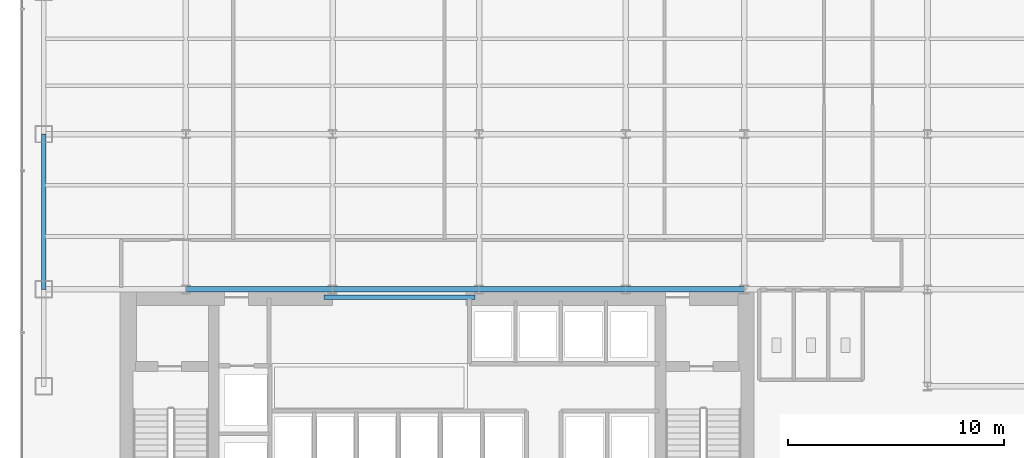
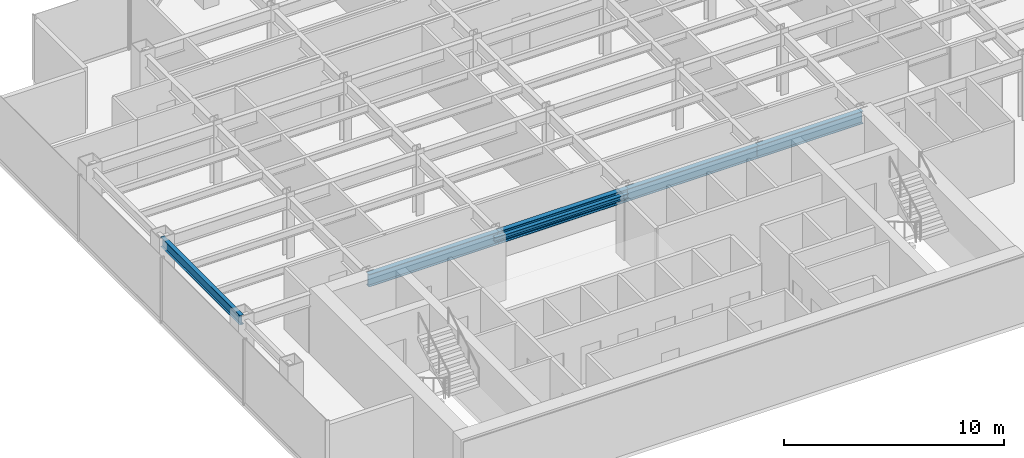
# One storey, part 3 of 26: 6 beams.
"""IFC4 building model written with IfcOpenShell, lengths in metres."""

from ifc_helpers import new_model, si_unit, derived_unit, direction, frame, origin, origin_2d, place, context, subcontext, project, spatial, i_section, extrude, source, transform, mapped, material, material_profile, profile_set, type_object, element, save


model = new_model("IFC4")

# Units and contexts
model_context = context("Model", 3, precision=1e-05, world=origin(), true_north=direction((0.0, 1.0)))
body_context = subcontext(model_context, "Body", "Model", "MODEL_VIEW")
ifc_project = project(units=[si_unit("LENGTHUNIT", "METRE"), si_unit("AREAUNIT", "SQUARE_METRE"), si_unit("VOLUMEUNIT", "CUBIC_METRE"), si_unit("PLANEANGLEUNIT", "RADIAN"), si_unit("MASSUNIT", "GRAM", prefix="KILO"), derived_unit("THERMALTRANSMITTANCEUNIT", [(si_unit("POWERUNIT", "WATT"), 1), (si_unit("LENGTHUNIT", "METRE"), -2), (si_unit("THERMODYNAMICTEMPERATUREUNIT", "KELVIN"), -1)])], contexts=[model_context])

# Site, building, storey
site_placement = place(None, origin())
site = spatial("IfcSite", under=ifc_project, at=site_placement, CompositionType="ELEMENT")
building_placement = place(site_placement, origin())
building = spatial("IfcBuilding", under=site, at=building_placement, Name="Skarnbrae Concourse Arena and Tower", CompositionType="ELEMENT")
storey_placement = place(building_placement, frame((0.0, 0.0, 121.5)))
storey = spatial("IfcBuildingStorey", under=building, at=storey_placement, Name="L30", CompositionType="ELEMENT", Elevation=121.5)

# Beams
ifc_material = material(Name="Steel CSA G40.21 350W", Category="steel")
ifc_material_profile_1 = material_profile(ifc_material, i_section(OverallWidth=0.202880859375, OverallDepth=0.251953125, WebThickness=0.008056640625, FlangeThickness=0.013427734375, at=origin_2d()), Name="W250X58")
ifc_profile_set_1 = profile_set([ifc_material_profile_1], Name="Steel CSA G40.21 350W")
beam_type_1 = type_object("IfcBeamType", Name="BM-LINTEL-W250X58", PredefinedType="LINTEL", material=ifc_profile_set_1)
shared_shape_1 = source(origin(), body_context, "Body", "SweptSolid", [
    extrude(i_section(OverallWidth=0.202880859375, OverallDepth=0.251953125, WebThickness=0.008056640625, FlangeThickness=0.013427734375, at=origin_2d()), origin(), (0.0, 0.0, 1.0), 7.0),
])
beam_1_placement = place(storey_placement, frame((14.0, 13.625, 3.27392578125), z_axis=(1.0, 0.0, 0.0), x_axis=(0.0, 1.0, 0.0)))
element("IfcBeam", 1, at=beam_1_placement, inside=storey, type_object=beam_type_1, Name="L30 Core portal coupling lintel", PredefinedType="LINTEL", context=body_context, shape_type="MappedRepresentation", body=[
    mapped(shared_shape_1, transform((0.0, 0.0, 0.0))),
])
ifc_material_profile_2 = material_profile(ifc_material, i_section(OverallWidth=0.256103515625, OverallDepth=0.693115234375, WebThickness=0.014404296875, FlangeThickness=0.023681640625, at=origin_2d()), Name="W690X170")
ifc_profile_set_2 = profile_set([ifc_material_profile_2], Name="Steel CSA G40.21 350W")
beam_type_2 = type_object("IfcBeamType", Name="BM-GIRD-W690X170", PredefinedType="BEAM", material=ifc_profile_set_2)
shared_shape_2 = source(origin(), body_context, "Body", "SweptSolid", [
    extrude(i_section(OverallWidth=0.256103515625, OverallDepth=0.693115234375, WebThickness=0.014404296875, FlangeThickness=0.023681640625, at=origin_2d()), origin(), (0.0, 0.0, 1.0), 6.7998046875),
])
beam_2_placement = place(storey_placement, frame((7.60009765625, 14.0, 3.053466796875), z_axis=(1.0, 0.0, 0.0), x_axis=(0.0, 1.0, 0.0)))
element("IfcBeam", 2, at=beam_2_placement, inside=storey, type_object=beam_type_2, Name="L30 Primary E-W girder Y14.0-2", PredefinedType="BEAM", context=body_context, shape_type="MappedRepresentation", body=[
    mapped(shared_shape_2, transform((0.0, 0.0, 0.0))),
])
shared_shape_3 = source(origin(), body_context, "Body", "SweptSolid", [
    extrude(i_section(OverallWidth=0.256103515625, OverallDepth=0.693115234375, WebThickness=0.014404296875, FlangeThickness=0.023681640625, at=origin_2d()), origin(), (0.0, 0.0, 1.0), 6.800048828125),
])
for number, where, z_axis, x_axis, name in (
    (3, (14.39990234375, 14.0, 3.053466796875), (1.0, 0.0, 0.0), (0.0, 1.0, 0.0), "L30 Primary E-W girder Y14.0-3"),
    (4, (21.199951171875, 14.0, 3.053466796875), (1.0, 0.0, 0.0), (0.0, 1.0, 0.0), "L30 Primary E-W girder Y14.0-4"),
):
    element("IfcBeam", number, at=place(storey_placement, frame(where, z_axis=z_axis, x_axis=x_axis)), inside=storey, type_object=beam_type_2, Name=name, PredefinedType="BEAM", context=body_context, shape_type="MappedRepresentation", body=[
        mapped(shared_shape_3, transform((0.0, 0.0, 0.0))),
    ])
shared_shape_4 = source(origin(), body_context, "Body", "SweptSolid", [
    extrude(i_section(OverallWidth=0.256103515625, OverallDepth=0.693115234375, WebThickness=0.014404296875, FlangeThickness=0.023681640625, at=origin_2d()), origin(), (0.0, 0.0, 1.0), 5.5),
])
beam_3_placement = place(storey_placement, frame((28.0, 14.0, 3.053466796875), z_axis=(1.0, 0.0, 0.0), x_axis=(0.0, 1.0, 0.0)))
element("IfcBeam", 5, at=beam_3_placement, inside=storey, type_object=beam_type_2, Name="L30 Primary E-W girder Y14.0-5", PredefinedType="BEAM", context=body_context, shape_type="MappedRepresentation", body=[
    mapped(shared_shape_4, transform((0.0, 0.0, 0.0))),
])
ifc_material_profile_3 = material_profile(ifc_material, i_section(OverallWidth=0.208984375, OverallDepth=0.532958984375, WebThickness=0.01025390625, FlangeThickness=0.015625, at=origin_2d()), Name="W530X92")
ifc_profile_set_3 = profile_set([ifc_material_profile_3], Name="Steel CSA G40.21 350W")
beam_type_3 = type_object("IfcBeamType", Name="BM-SPAN-W530X92", PredefinedType="SPANDREL", material=ifc_profile_set_3)
shared_shape_5 = source(origin(), body_context, "Body", "SweptSolid", [
    extrude(i_section(OverallWidth=0.208984375, OverallDepth=0.532958984375, WebThickness=0.01025390625, FlangeThickness=0.015625, at=origin_2d()), origin(), (0.0, 0.0, 1.0), 7.199951171875),
])
beam_4_placement = place(storey_placement, frame((1.0, 14.0, 3.133544921875), z_axis=(0.0, 1.0, 0.0), x_axis=(-1.0, 0.0, 0.0)))
element("IfcBeam", 6, at=beam_4_placement, inside=storey, type_object=beam_type_3, Name="L30 Perimeter spandrel X1.0-2", PredefinedType="SPANDREL", context=body_context, shape_type="MappedRepresentation", body=[
    mapped(shared_shape_5, transform((0.0, 0.0, 0.0))),
])

save(model, "model.ifc")
